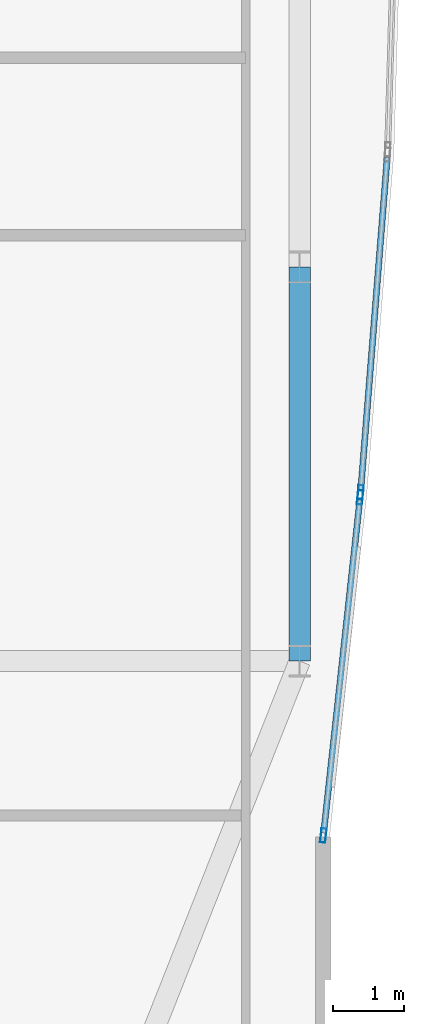
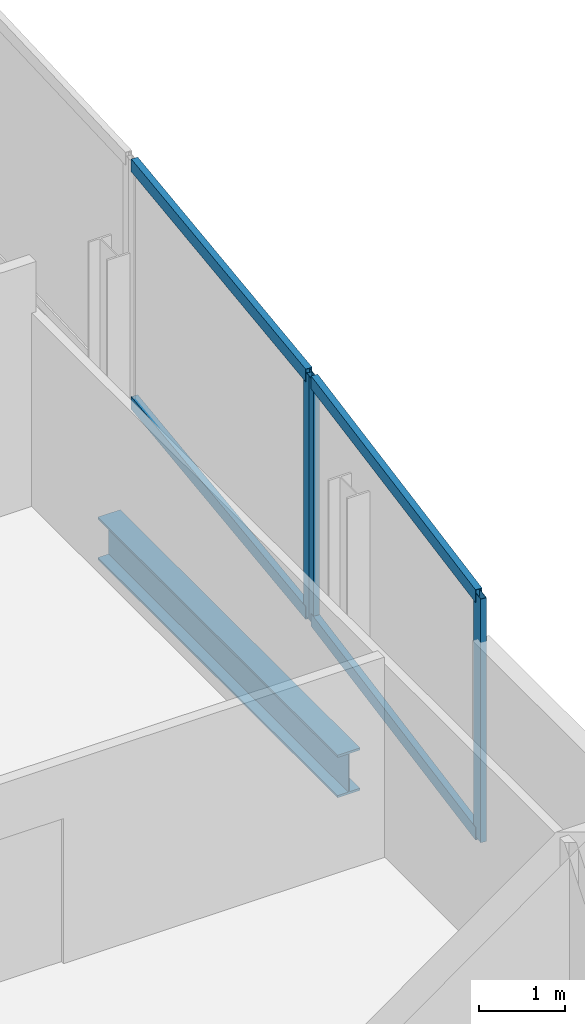
# One storey, part 18 of 32: 7 members, 1 beam, 2 elements without a shape of their own.
"""IFC4 building model written with IfcOpenShell, lengths in metres."""

from ifc_helpers import new_model, si_unit, direction, frame, origin, origin_2d, place, context, subcontext, project, spatial, hollow_rectangle, i_section, extrude, material, material_profile, profile_set, type_object, element, aggregate, save


model = new_model("IFC4")

# Units and contexts
model_context = context("Model", 3, precision=1e-05, world=origin(), true_north=direction((0.0, 1.0)))
body_context = subcontext(model_context, "Body", "Model", "MODEL_VIEW")
ifc_project = project(units=[si_unit("LENGTHUNIT", "METRE"), si_unit("AREAUNIT", "SQUARE_METRE"), si_unit("VOLUMEUNIT", "CUBIC_METRE"), si_unit("PLANEANGLEUNIT", "RADIAN"), si_unit("MASSUNIT", "GRAM", prefix="KILO")], contexts=[model_context])

# Site, building, storey
site_placement = place(None, origin())
site = spatial("IfcSite", under=ifc_project, at=site_placement, CompositionType="ELEMENT")
building_placement = place(site_placement, origin())
building = spatial("IfcBuilding", under=site, at=building_placement, Name="Khoronbel Lancet Exchange", CompositionType="ELEMENT")
storey_placement = place(building_placement, frame((0.0, 0.0, 195.800048828125)))
storey = spatial("IfcBuildingStorey", under=building, at=storey_placement, Name="L49", CompositionType="ELEMENT", Elevation=195.800048828125)

# Beam
ifc_material_1 = material(Name="Steel S355", Category="steel")
ifc_material_profile_1 = material_profile(ifc_material_1, i_section(OverallWidth=0.300048828125, OverallDepth=0.60009765625, WebThickness=0.015380859375, FlangeThickness=0.030029296875, at=origin_2d()), Name="HEB 600")
ifc_profile_set_1 = profile_set([ifc_material_profile_1], Name="Steel S355")
beam_type = type_object("IfcBeamType", Name="BM-BSP2", PredefinedType="SPANDREL", material=ifc_profile_set_1)
beam_placement = place(storey_placement, frame((65.6298828125, 19.199951171875, -0.4599609375), z_axis=(0.0, 1.0, 0.0), x_axis=(-1.0, 0.0, 0.0)))
element("IfcBeam", 1, at=beam_placement, inside=storey, type_object=beam_type, Name="Level L49 perimeter spandrel beam SP11", PredefinedType="SPANDREL", context=body_context, shape_type="SweptSolid", body=[
    extrude(i_section(OverallWidth=0.300048828125, OverallDepth=0.60009765625, WebThickness=0.015380859375, FlangeThickness=0.030029296875, at=origin_2d()), origin(), (0.0, 0.0, 1.0), 5.550048828125),
])

# Curtain wall, member
ifc_material_2 = material(Name="Low-E Solar Control Insulating Glass", Category="glass")
curtain_wall_type = type_object("IfcCurtainWallType", Name="CW-4", PredefinedType="NOTDEFINED", material=ifc_material_2)
curtain_wall_1_placement = place(storey_placement, origin())
curtain_wall_1 = element("IfcCurtainWall", 2, at=curtain_wall_1_placement, inside=storey, type_object=curtain_wall_type, Name="Unitised curtain wall CW-L49-E21", PredefinedType="NOTDEFINED")
ifc_material_3 = material(Name="Bronze-Anodised Aluminium 6063-T6", Category="aluminium")
ifc_material_profile_2 = material_profile(ifc_material_3, hollow_rectangle(XDim=0.074951171875, YDim=0.199951171875, WallThickness=0.0048828125, at=origin_2d()), Name="ALU MULLION 75x200")
ifc_profile_set_2 = profile_set([ifc_material_profile_2], Name="Bronze-Anodised Aluminium 6063-T6")
member_type_1 = type_object("IfcMemberType", Name="MEM-CWM2", PredefinedType="MULLION", material=ifc_profile_set_2)
member_1_placement = place(storey_placement, frame((66.48828125, 21.5791015625, 0.0), z_axis=(0.0, 0.0, 1.0), x_axis=(0.996854401909, -0.079254661653, 0.0)))
member_1 = element("IfcMember", 3, at=member_1_placement, type_object=member_type_1, Name="CW4 mullion 2", PredefinedType="MULLION", context=body_context, shape_type="SweptSolid", body=[
    extrude(hollow_rectangle(XDim=0.074951171875, YDim=0.199951171875, WallThickness=0.0048828125, at=origin_2d()), origin(), (0.0, 0.0, 1.0), 3.43994140625),
])

# Curtain wall, members
curtain_wall_2_placement = place(storey_placement, origin())
curtain_wall_2 = element("IfcCurtainWall", 4, at=curtain_wall_2_placement, inside=storey, type_object=curtain_wall_type, Name="Unitised curtain wall CW-L49-E22", PredefinedType="NOTDEFINED")
member_2_placement = place(storey_placement, frame((66.4814453125, 21.50439453125, 0.0), z_axis=(0.0, 0.0, 1.0), x_axis=(0.994151948799, -0.107990289834, 0.0)))
member_2 = element("IfcMember", 5, at=member_2_placement, type_object=member_type_1, Name="CW4 mullion 1", PredefinedType="MULLION", context=body_context, shape_type="SweptSolid", body=[
    extrude(hollow_rectangle(XDim=0.074951171875, YDim=0.199951171875, WallThickness=0.0048828125, at=origin_2d()), origin(), (0.0, 0.0, 1.0), 3.43994140625),
])
member_3_placement = place(storey_placement, frame((65.964111328125, 16.7421875, 0.0), z_axis=(0.0, 0.0, 1.0), x_axis=(0.994151948799, -0.107990289834, 0.0)))
member_3 = element("IfcMember", 6, at=member_3_placement, type_object=member_type_1, Name="CW4 mullion 2", PredefinedType="MULLION", context=body_context, shape_type="SweptSolid", body=[
    extrude(hollow_rectangle(XDim=0.074951171875, YDim=0.199951171875, WallThickness=0.0048828125, at=origin_2d()), origin(), (0.0, 0.0, 1.0), 3.43994140625),
])

# Member
ifc_material_profile_3 = material_profile(ifc_material_3, hollow_rectangle(XDim=0.0849609375, YDim=0.179931640625, WallThickness=0.0048828125, at=origin_2d()), Name="ALU TRANSOM 85x180")
ifc_profile_set_3 = profile_set([ifc_material_profile_3], Name="Bronze-Anodised Aluminium 6063-T6")
member_type_2 = type_object("IfcMemberType", Name="MEM-CWT1", PredefinedType="USERDEFINED", material=ifc_profile_set_3)
member_4_placement = place(storey_placement, frame((66.863525390625, 26.296875, 0.04248046875), z_axis=(-0.079245071744, -0.996855164306, 0.0), x_axis=(0.996855164306, -0.079245071744, 0.0)))
member_4 = element("IfcMember", 7, at=member_4_placement, type_object=member_type_2, Name="CW4 transom 1.1", ObjectType="TRANSOM", PredefinedType="USERDEFINED", context=body_context, shape_type="SweptSolid", body=[
    extrude(hollow_rectangle(XDim=0.0849609375, YDim=0.179931640625, WallThickness=0.0048828125, at=origin_2d()), origin(), (0.0, 0.0, 1.0), 4.695068359375),
])

member_5_placement = place(storey_placement, frame((66.863525390625, 26.296875, 3.3974609375), z_axis=(-0.079245071744, -0.996855164306, 0.0), x_axis=(0.996855164306, -0.079245071744, 0.0)))
member_5 = element("IfcMember", 8, at=member_5_placement, type_object=member_type_2, Name="CW4 transom 1.2", ObjectType="TRANSOM", PredefinedType="USERDEFINED", context=body_context, shape_type="SweptSolid", body=[
    extrude(hollow_rectangle(XDim=0.0849609375, YDim=0.179931640625, WallThickness=0.0048828125, at=origin_2d()), origin(), (0.0, 0.0, 1.0), 4.695068359375),
])

aggregate(curtain_wall_1, [member_1, member_4, member_5])

member_6_placement = place(storey_placement, frame((66.477294921875, 21.467041015625, 0.04248046875), z_axis=(-0.108010231569, -0.994149782415, 0.0), x_axis=(0.994149782415, -0.108010231569, 0.0)))
member_6 = element("IfcMember", 9, at=member_6_placement, type_object=member_type_2, Name="CW4 transom 1.1", ObjectType="TRANSOM", PredefinedType="USERDEFINED", context=body_context, shape_type="SweptSolid", body=[
    extrude(hollow_rectangle(XDim=0.0849609375, YDim=0.179931640625, WallThickness=0.0048828125, at=origin_2d()), origin(), (0.0, 0.0, 1.0), 4.715087890625),
])

member_7_placement = place(storey_placement, frame((66.477294921875, 21.467041015625, 3.3974609375), z_axis=(-0.108010231569, -0.994149782415, 0.0), x_axis=(0.994149782415, -0.108010231569, 0.0)))
member_7 = element("IfcMember", 10, at=member_7_placement, type_object=member_type_2, Name="CW4 transom 1.2", ObjectType="TRANSOM", PredefinedType="USERDEFINED", context=body_context, shape_type="SweptSolid", body=[
    extrude(hollow_rectangle(XDim=0.0849609375, YDim=0.179931640625, WallThickness=0.0048828125, at=origin_2d()), origin(), (0.0, 0.0, 1.0), 4.715087890625),
])

aggregate(curtain_wall_2, [member_2, member_3, member_6, member_7])

save(model, "model.ifc")
